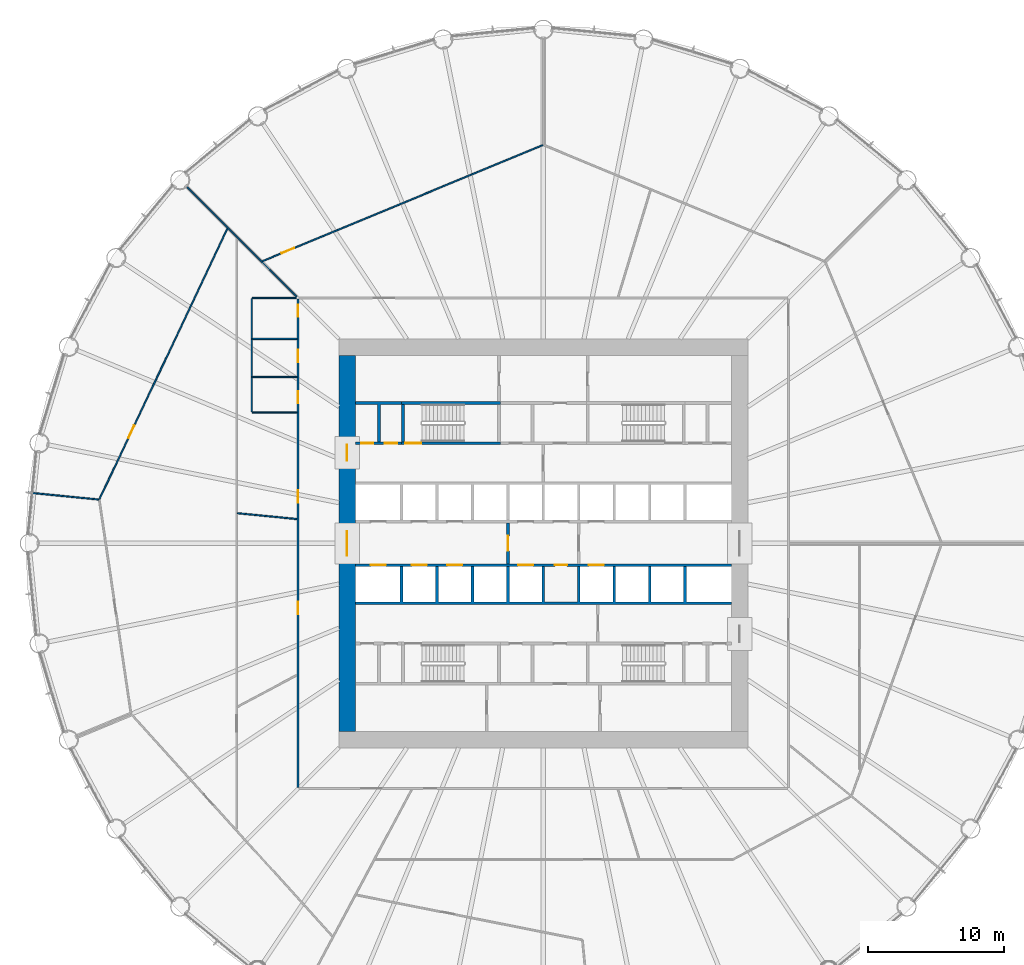
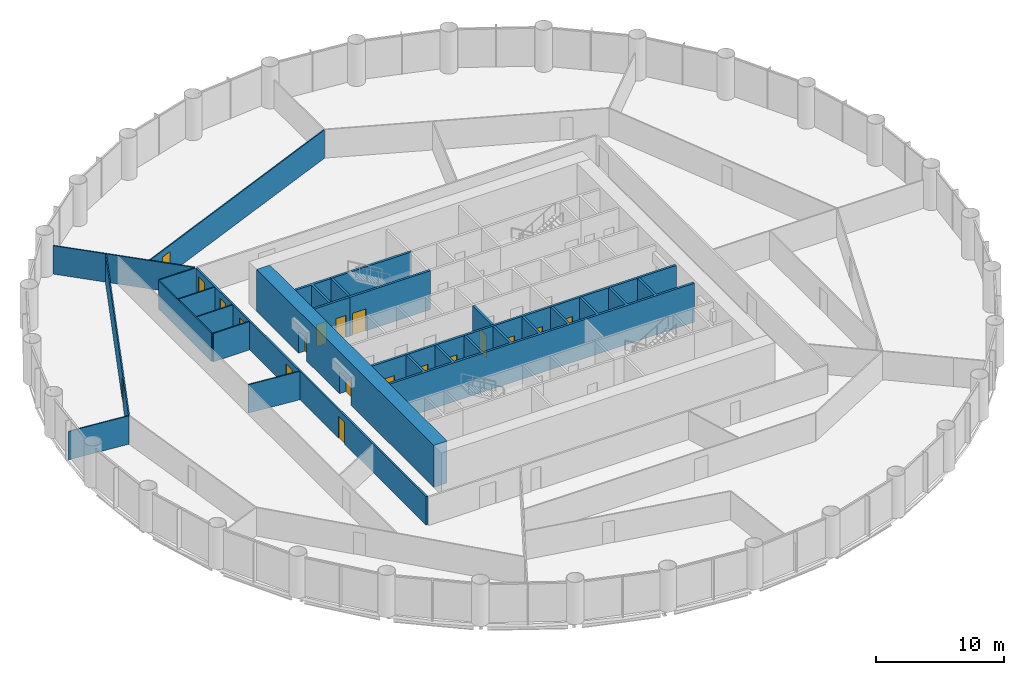
# One storey, part 12 of 15: 20 walls, 19 doors, 19 openings.
"""IFC4 building model written with IfcOpenShell, lengths in metres."""

import ifcopenshell
import ifcopenshell.guid

model = None  # the IFC model being written
_history = None  # IfcOwnerHistory: only IFC2X3 demands one
_inside = {}  # id of a spatial element -> (the spatial element, [elements in it])
_under = {}  # id of a project, library or spatial element -> (it, [spatial elements below it])
_declared = {}  # id of a project -> (the project, [libraries it declares])
_typed = {}  # id of a type object -> (the type object, [elements of that type])
_made_of = {}  # id of a material, layer set ... -> (it, [elements and type objects made of it])


def new_model(schema):
    """Start an empty IFC model of exactly this schema.

    Asked for "IFC4X3", IfcOpenShell would pick the latest addendum, in which some entities
    have other attributes; the version numbers below select the first issue.
    IFC2X3 requires an IfcOwnerHistory on every rooted entity: one is made here for all.
    """
    global model, _history
    if schema == "IFC4X3":
        model = ifcopenshell.file(schema_version=(4, 3, 0, 0))
    else:
        model = ifcopenshell.file(schema=schema)
    _inside.clear()
    _under.clear()
    _declared.clear()
    _typed.clear()
    _made_of.clear()
    _history = None
    if model.schema == "IFC2X3":
        org = make("IfcOrganization", Name="unknown")
        user = make(
            "IfcPersonAndOrganization",
            ThePerson=make("IfcPerson", FamilyName="unknown"),
            TheOrganization=org,
        )
        app = make(
            "IfcApplication",
            ApplicationDeveloper=org,
            Version="unknown",
            ApplicationFullName="unknown",
            ApplicationIdentifier="unknown",
        )
        _history = make(
            "IfcOwnerHistory",
            OwningUser=user,
            OwningApplication=app,
            ChangeAction="ADDED",
            CreationDate=0,
        )
    return model


def make(cls, **values):
    """One entity of the class cls with the attributes given. An attribute that is None is left unset."""
    return model.create_entity(
        cls, **{name: value for name, value in values.items() if value is not None}
    )


def rooted(cls, **values):
    """An entity with a GlobalId (a new one), such as an element, a storey or a relation."""
    return make(cls, GlobalId=ifcopenshell.guid.new(), OwnerHistory=_history, **values)


def si_unit(unit_type, name, prefix=None):
    """IfcSIUnit, for example si_unit("LENGTHUNIT", "METRE", prefix="MILLI")."""
    return make("IfcSIUnit", UnitType=unit_type, Prefix=prefix, Name=name)


def assignment(units):
    """IfcUnitAssignment: the units of a project."""
    return None if units is None else make("IfcUnitAssignment", Units=units)


def point(xyz):
    """IfcCartesianPoint."""
    return None if xyz is None else make("IfcCartesianPoint", Coordinates=xyz)


def direction(xyz):
    """IfcDirection."""
    return None if xyz is None else make("IfcDirection", DirectionRatios=xyz)


def frame(location, z_axis=None, x_axis=None):
    """IfcAxis2Placement3D, a coordinate frame: its origin and axes. An axis left out is left unset."""
    return make(
        "IfcAxis2Placement3D",
        Location=point(location),
        Axis=direction(z_axis),
        RefDirection=direction(x_axis),
    )


def frame_2d(location, x_axis=None):
    """IfcAxis2Placement2D, a coordinate frame in the plane: its origin and x axis."""
    return make(
        "IfcAxis2Placement2D", Location=point(location), RefDirection=direction(x_axis)
    )


def origin():
    """The frame at (0, 0, 0) with its axes left unset."""
    return frame((0.0, 0.0, 0.0))


def place(relative_to, where):
    """IfcLocalPlacement: puts the frame where relative to a parent placement (None: the world)."""
    return make(
        "IfcLocalPlacement", PlacementRelTo=relative_to, RelativePlacement=where
    )


def context(
    kind, dimensions, precision=None, world=None, true_north=None, identifier=None
):
    """IfcGeometricRepresentationContext, for example the 3D "Model" context."""
    return make(
        "IfcGeometricRepresentationContext",
        ContextIdentifier=identifier,
        ContextType=kind,
        CoordinateSpaceDimension=dimensions,
        Precision=precision,
        WorldCoordinateSystem=world,
        TrueNorth=true_north,
    )


def subcontext(parent, identifier, kind, view, scale=None):
    """IfcGeometricRepresentationSubContext, for example "Body" below "Model"."""
    return make(
        "IfcGeometricRepresentationSubContext",
        ContextIdentifier=identifier,
        ContextType=kind,
        ParentContext=parent,
        TargetScale=scale,
        TargetView=view,
    )


def project(units=None, contexts=None):
    """IfcProject with its units and contexts."""
    return rooted(
        "IfcProject",
        Name="project",
        RepresentationContexts=contexts,
        UnitsInContext=assignment(units),
    )


def spatial(cls, under=None, at=None, **own):
    """A site, building, storey or space (cls), placed at a placement, below another one or the project."""
    s = rooted(cls, ObjectPlacement=at, **own)
    if under is not None:
        _under.setdefault(under.id(), (under, []))[1].append(s)
    return s


def polyline(points):
    """IfcPolyline through the points."""
    return make("IfcPolyline", Points=[point(p) for p in points])


def profile(cls, at=None, kind="AREA", **sizes):
    """A parametric profile (cls). Its sizes go by their IFC names, for example OverallWidth=200.0."""
    return make(cls, ProfileType=kind, Position=at, **sizes)


def rectangle(**sizes):
    """IfcRectangleProfileDef."""
    return profile("IfcRectangleProfileDef", **sizes)


def outline(outer, holes=None, kind="AREA"):
    """IfcArbitraryClosedProfileDef: a profile drawn as a closed curve; with holes, ...WithVoids."""
    if holes is None:
        return make("IfcArbitraryClosedProfileDef", ProfileType=kind, OuterCurve=outer)
    return make(
        "IfcArbitraryProfileDefWithVoids",
        ProfileType=kind,
        OuterCurve=outer,
        InnerCurves=holes,
    )


def extrude(swept, where, along, depth):
    """IfcExtrudedAreaSolid: the profile swept, set in the frame where, extruded along a direction by depth."""
    return make(
        "IfcExtrudedAreaSolid",
        SweptArea=swept,
        Position=where,
        ExtrudedDirection=direction(along),
        Depth=depth,
    )


def shape(context_of_items, identifier, shape_type, items):
    """IfcShapeRepresentation: the items that make up one representation, for example the "Body"."""
    return make(
        "IfcShapeRepresentation",
        ContextOfItems=context_of_items,
        RepresentationIdentifier=identifier,
        RepresentationType=shape_type,
        Items=items,
    )


def material(Name=None, Category=None):
    """IfcMaterial."""
    return make("IfcMaterial", Name=Name, Category=Category)


def layer(
    of_material, thickness, ventilated=None, Name=None, Category=None, Priority=None
):
    """IfcMaterialLayer: one layer of a wall or slab, of a material (None: an air gap)."""
    return make(
        "IfcMaterialLayer",
        Material=of_material,
        LayerThickness=thickness,
        IsVentilated=ventilated,
        Name=Name,
        Category=Category,
        Priority=Priority,
    )


def layer_set(layers, Name=None):
    """IfcMaterialLayerSet."""
    return make("IfcMaterialLayerSet", MaterialLayers=layers, LayerSetName=Name)


def made_of(thing, what):
    """Note that an element or type object is made of a material, layer set ...; save() writes the relation."""
    if what is not None:
        _made_of.setdefault(what.id(), (what, []))[1].append(thing)
    return thing


def type_object(cls, material=None, **own):
    """A type object (cls), such as IfcWallType, which elements share."""
    return made_of(rooted(cls, **own), material)


def element(
    cls,
    number,
    at=None,
    inside=None,
    cuts=None,
    type_object=None,
    material=None,
    context=None,
    identifier="Body",
    shape_type=None,
    held_by="IfcProductDefinitionShape",
    body=None,
    shapes=None,
    **own,
):
    """One element of the class cls, such as IfcWall. Its Tag is "e" and its number.

    at: its placement. inside: the storey or other place that contains it. cuts: it is an
    opening in that element (IfcRelVoidsElement). A single representation is given by context,
    identifier, shape_type and body (its items); several are given by shapes. held_by: the class
    of the entity that holds the representations. save() writes the other relations.
    """
    e = rooted(cls, Tag="e%d" % number, ObjectPlacement=at, **own)
    if body is not None:
        shapes = [shape(context, identifier, shape_type, body)]
    if shapes is not None:
        e.Representation = make(held_by, Representations=shapes)
    if inside is not None:
        _inside.setdefault(inside.id(), (inside, []))[1].append(e)
    if cuts is not None:
        rooted(
            "IfcRelVoidsElement", RelatingBuildingElement=cuts, RelatedOpeningElement=e
        )
    if type_object is not None:
        _typed.setdefault(type_object.id(), (type_object, []))[1].append(e)
    return made_of(e, material)


def fill(opening, filler):
    """IfcRelFillsElement: the door or window that sits in an opening."""
    return rooted(
        "IfcRelFillsElement",
        RelatingOpeningElement=opening,
        RelatedBuildingElement=filler,
    )


def aggregate(whole, parts):
    """IfcRelAggregates: a whole, such as a stair, and the parts it consists of."""
    return rooted("IfcRelAggregates", RelatingObject=whole, RelatedObjects=parts)


def save(model, path):
    """Write the relations noted so far, then the file.

    IfcRelAggregates (storeys below a building ...), IfcRelContainedInSpatialStructure (elements
    in a storey), IfcRelDefinesByType, IfcRelAssociatesMaterial and IfcRelDeclares: one each for
    every whole, place, type object, material and project.
    """
    for whole, parts in _under.values():
        aggregate(whole, parts)
    for where, things in _inside.values():
        rooted(
            "IfcRelContainedInSpatialStructure",
            RelatedElements=things,
            RelatingStructure=where,
        )
    for kind, things in _typed.values():
        rooted("IfcRelDefinesByType", RelatedObjects=things, RelatingType=kind)
    for what, things in _made_of.values():
        rooted("IfcRelAssociatesMaterial", RelatedObjects=things, RelatingMaterial=what)
    for by, libraries in _declared.values():
        rooted("IfcRelDeclares", RelatingContext=by, RelatedDefinitions=libraries)
    model.write(path)


model = new_model("IFC4")

# Units and contexts
model_context = context("Model", 3, precision=1e-05, world=origin(), true_north=direction((0.0, 1.0)))
body_context = subcontext(model_context, "Body", "Model", "MODEL_VIEW")
ifc_project = project(units=[si_unit("LENGTHUNIT", "METRE"), si_unit("AREAUNIT", "SQUARE_METRE"), si_unit("VOLUMEUNIT", "CUBIC_METRE"), si_unit("PLANEANGLEUNIT", "RADIAN"), si_unit("MASSUNIT", "GRAM", prefix="KILO")], contexts=[model_context])

# Site, building, storey
site_placement = place(None, origin())
site = spatial("IfcSite", under=ifc_project, at=site_placement, CompositionType="ELEMENT")
building_placement = place(site_placement, origin())
building = spatial("IfcBuilding", under=site, at=building_placement, Name="Corvane Civic Tower", CompositionType="ELEMENT")
storey_placement = place(building_placement, frame((0.0, 0.0, 57.0)))
storey = spatial("IfcBuildingStorey", under=building, at=storey_placement, Name="L12", CompositionType="ELEMENT", Elevation=57.0)

# Wall, openings, doors
ifc_material_1 = material(Name="Concrete C80/95", Category="concrete")
ifc_layer_1 = layer(ifc_material_1, 1.199951171875)
ifc_layer_set_1 = layer_set([ifc_layer_1], Name="Concrete C80/95")
wall_type_1 = type_object("IfcWallType", Name="CORE WALL 1200 C80/95", PredefinedType="SHEAR", material=ifc_layer_set_1)
wall_1_placement = place(storey_placement, frame((-14.39990234375, -13.800048828125, 0.0), z_axis=(0.0, 0.0, 1.0), x_axis=(0.0, 1.0, 0.0)))
wall_1 = element("IfcWall", 1, at=wall_1_placement, inside=storey, type_object=wall_type_1, Name="W-L12-core-W", PredefinedType="SHEAR", context=body_context, shape_type="SweptSolid", body=[
    extrude(rectangle(XDim=27.60009765625, YDim=1.199951171875, at=frame_2d((13.800048828125, 0.0))), origin(), (0.0, 0.0, 1.0), 4.0),
])
opening_1_placement = place(wall_1_placement, frame((12.89990234375, 0.0, 0.0)))
opening_1 = element("IfcOpeningElement", 2, at=opening_1_placement, cuts=wall_1, Name="Opening L12.C28", PredefinedType="OPENING", context=body_context, shape_type="SweptSolid", body=[
    extrude(rectangle(XDim=1.800048828125, YDim=2.10009765625, at=frame_2d((0.89990234375, 1.050048828125))), frame((0.0, 0.60986328125, 0.0), z_axis=(0.0, -1.0, 0.0), x_axis=(1.0, 0.0, 0.0)), (0.0, 0.0, 1.0), 1.219970703125),
])
opening_2_placement = place(wall_1_placement, frame((19.85009765625, 0.0, 0.0)))
opening_2 = element("IfcOpeningElement", 3, at=opening_2_placement, cuts=wall_1, Name="Opening L12.C30", PredefinedType="OPENING", context=body_context, shape_type="SweptSolid", body=[
    extrude(rectangle(XDim=1.199951171875, YDim=2.10009765625, at=frame_2d((0.60009765625, 1.050048828125))), frame((0.0, 0.60986328125, 0.0), z_axis=(0.0, -1.0, 0.0), x_axis=(1.0, 0.0, 0.0)), (0.0, 0.0, 1.0), 1.219970703125),
])
ifc_material_2 = material(Name="Steel fire door leaf", Category="steel")
door_type_1 = type_object("IfcDoorType", Name="CR-DOOR-CORE-1800", OperationType="DOUBLE_DOOR_SINGLE_SWING", PredefinedType="DOOR", material=ifc_material_2)
door_1_placement = place(opening_1_placement, origin())
door_1 = element("IfcDoor", 4, at=door_1_placement, inside=storey, type_object=door_type_1, Name="L12 door", OperationType="DOUBLE_DOOR_SINGLE_SWING", OverallHeight=2.10009765625, OverallWidth=1.800048828125, PredefinedType="DOOR", context=body_context, shape_type="SweptSolid", body=[
    extrude(rectangle(XDim=1.800048828125, YDim=2.10009765625, at=frame_2d((0.89990234375, 1.050048828125))), frame((0.0, 0.02490234375, 0.0), z_axis=(0.0, -1.0, 0.0), x_axis=(1.0, 0.0, 0.0)), (0.0, 0.0, 1.0), 0.050048828125),
])
fill(opening_1, door_1)
door_2_placement = place(opening_2_placement, origin())
door_2 = element("IfcDoor", 5, at=door_2_placement, inside=storey, type_object=door_type_1, Name="L12 door", OperationType="DOUBLE_DOOR_SINGLE_SWING", OverallHeight=2.10009765625, OverallWidth=1.199951171875, PredefinedType="DOOR", context=body_context, shape_type="SweptSolid", body=[
    extrude(rectangle(XDim=1.199951171875, YDim=2.10009765625, at=frame_2d((0.60009765625, 1.050048828125))), frame((0.0, 0.02490234375, 0.0), z_axis=(0.0, -1.0, 0.0), x_axis=(1.0, 0.0, 0.0)), (0.0, 0.0, 1.0), 0.050048828125),
])
fill(opening_2, door_2)

ifc_material_3 = material(Name="Concrete C30/37", Category="concrete")
ifc_layer_2 = layer(ifc_material_3, 0.199951171875)
ifc_layer_set_2 = layer_set([ifc_layer_2], Name="Concrete C30/37")
wall_type_2 = type_object("IfcWallType", Name="CR-WALL-200", PredefinedType="PARTITIONING", material=ifc_layer_set_2)
wall_2_placement = place(storey_placement, frame((-13.800048828125, -1.60009765625, 0.0), z_axis=(0.0, 0.0, 1.0), x_axis=(1.0, 0.0, 0.0)))
wall_2 = element("IfcWall", 6, at=wall_2_placement, inside=storey, type_object=wall_type_2, Name="L12 lift shaft wall", PredefinedType="PARTITIONING", context=body_context, shape_type="SweptSolid", body=[
    extrude(rectangle(XDim=27.60009765625, YDim=0.199951171875, at=frame_2d((13.800048828125, 0.0))), origin(), (0.0, 0.0, 1.0), 3.699951171875),
])
opening_3_placement = place(wall_2_placement, frame((1.14990234375, 0.0, 0.0)))
opening_3 = element("IfcOpeningElement", 7, at=opening_3_placement, cuts=wall_2, Name="Opening LD", PredefinedType="OPENING", context=body_context, shape_type="SweptSolid", body=[
    extrude(rectangle(XDim=1.10009765625, YDim=2.10009765625, at=frame_2d((0.550048828125, 1.050048828125))), frame((0.0, 0.10986328125, 0.0), z_axis=(0.0, -1.0, 0.0), x_axis=(1.0, 0.0, 0.0)), (0.0, 0.0, 1.0), 0.219970703125),
])
opening_4_placement = place(wall_2_placement, frame((4.14990234375, 0.0, 0.0)))
opening_4 = element("IfcOpeningElement", 8, at=opening_4_placement, cuts=wall_2, Name="Opening LD", PredefinedType="OPENING", context=body_context, shape_type="SweptSolid", body=[
    extrude(rectangle(XDim=1.10009765625, YDim=2.10009765625, at=frame_2d((0.550048828125, 1.050048828125))), frame((0.0, 0.10986328125, 0.0), z_axis=(0.0, -1.0, 0.0), x_axis=(1.0, 0.0, 0.0)), (0.0, 0.0, 1.0), 0.219970703125),
])
opening_5_placement = place(wall_2_placement, frame((6.75, 0.0, 0.0)))
opening_5 = element("IfcOpeningElement", 9, at=opening_5_placement, cuts=wall_2, Name="Opening LD", PredefinedType="OPENING", context=body_context, shape_type="SweptSolid", body=[
    extrude(rectangle(XDim=1.10009765625, YDim=2.10009765625, at=frame_2d((0.550048828125, 1.050048828125))), frame((0.0, 0.10986328125, 0.0), z_axis=(0.0, -1.0, 0.0), x_axis=(1.0, 0.0, 0.0)), (0.0, 0.0, 1.0), 0.219970703125),
])
opening_6_placement = place(wall_2_placement, frame((11.949951171875, 0.0, 0.0)))
opening_6 = element("IfcOpeningElement", 10, at=opening_6_placement, cuts=wall_2, Name="Opening LD", PredefinedType="OPENING", context=body_context, shape_type="SweptSolid", body=[
    extrude(rectangle(XDim=1.10009765625, YDim=2.10009765625, at=frame_2d((0.550048828125, 1.050048828125))), frame((0.0, 0.10986328125, 0.0), z_axis=(0.0, -1.0, 0.0), x_axis=(1.0, 0.0, 0.0)), (0.0, 0.0, 1.0), 0.219970703125),
])
opening_7_placement = place(wall_2_placement, frame((14.64990234375, 0.0, 0.0)))
opening_7 = element("IfcOpeningElement", 11, at=opening_7_placement, cuts=wall_2, Name="Opening L12.C01", PredefinedType="OPENING", context=body_context, shape_type="SweptSolid", body=[
    extrude(rectangle(XDim=0.89990234375, YDim=2.10009765625, at=frame_2d((0.449951171875, 1.050048828125))), frame((0.0, 0.10986328125, 0.0), z_axis=(0.0, -1.0, 0.0), x_axis=(1.0, 0.0, 0.0)), (0.0, 0.0, 1.0), 0.219970703125),
])
opening_8_placement = place(wall_2_placement, frame((17.14990234375, 0.0, 0.0)))
opening_8 = element("IfcOpeningElement", 12, at=opening_8_placement, cuts=wall_2, Name="Opening LD", PredefinedType="OPENING", context=body_context, shape_type="SweptSolid", body=[
    extrude(rectangle(XDim=1.10009765625, YDim=2.10009765625, at=frame_2d((0.550048828125, 1.050048828125))), frame((0.0, 0.10986328125, 0.0), z_axis=(0.0, -1.0, 0.0), x_axis=(1.0, 0.0, 0.0)), (0.0, 0.0, 1.0), 0.219970703125),
])
ifc_material_4 = material(Name="Steel fire door leaf", Category="steel")
door_type_2 = type_object("IfcDoorType", Name="CR-DOOR-900", OperationType="SINGLE_SWING_LEFT", PredefinedType="DOOR", material=ifc_material_4)
door_3_placement = place(opening_7_placement, origin())
door_3 = element("IfcDoor", 13, at=door_3_placement, inside=storey, type_object=door_type_2, Name="L12 door", OperationType="SINGLE_SWING_LEFT", OverallHeight=2.10009765625, OverallWidth=0.89990234375, PredefinedType="DOOR", context=body_context, shape_type="SweptSolid", body=[
    extrude(rectangle(XDim=0.89990234375, YDim=2.10009765625, at=frame_2d((0.449951171875, 1.050048828125))), frame((0.0, 0.02490234375, 0.0), z_axis=(0.0, -1.0, 0.0), x_axis=(1.0, 0.0, 0.0)), (0.0, 0.0, 1.0), 0.050048828125),
])
fill(opening_7, door_3)
ifc_material_5 = material(Name="Stainless steel 316 door leaves", Category="steel")
door_type_3 = type_object("IfcDoorType", Name="LD", OperationType="DOUBLE_DOOR_SLIDING", PredefinedType="DOOR", material=ifc_material_5)
door_4_placement = place(opening_3_placement, origin())
door_4 = element("IfcDoor", 14, at=door_4_placement, inside=storey, type_object=door_type_3, Name="L12 landing door", OperationType="DOUBLE_DOOR_SLIDING", OverallHeight=2.10009765625, OverallWidth=1.10009765625, PredefinedType="DOOR", context=body_context, shape_type="SweptSolid", body=[
    extrude(rectangle(XDim=1.10009765625, YDim=2.10009765625, at=frame_2d((0.550048828125, 1.050048828125))), frame((0.0, 0.02490234375, 0.0), z_axis=(0.0, -1.0, 0.0), x_axis=(1.0, 0.0, 0.0)), (0.0, 0.0, 1.0), 0.050048828125),
])
fill(opening_3, door_4)
door_5_placement = place(opening_4_placement, origin())
door_5 = element("IfcDoor", 15, at=door_5_placement, inside=storey, type_object=door_type_3, Name="L12 landing door", OperationType="DOUBLE_DOOR_SLIDING", OverallHeight=2.10009765625, OverallWidth=1.10009765625, PredefinedType="DOOR", context=body_context, shape_type="SweptSolid", body=[
    extrude(rectangle(XDim=1.10009765625, YDim=2.10009765625, at=frame_2d((0.550048828125, 1.050048828125))), frame((0.0, 0.02490234375, 0.0), z_axis=(0.0, -1.0, 0.0), x_axis=(1.0, 0.0, 0.0)), (0.0, 0.0, 1.0), 0.050048828125),
])
fill(opening_4, door_5)
door_6_placement = place(opening_5_placement, origin())
door_6 = element("IfcDoor", 16, at=door_6_placement, inside=storey, type_object=door_type_3, Name="L12 landing door", OperationType="DOUBLE_DOOR_SLIDING", OverallHeight=2.10009765625, OverallWidth=1.10009765625, PredefinedType="DOOR", context=body_context, shape_type="SweptSolid", body=[
    extrude(rectangle(XDim=1.10009765625, YDim=2.10009765625, at=frame_2d((0.550048828125, 1.050048828125))), frame((0.0, 0.02490234375, 0.0), z_axis=(0.0, -1.0, 0.0), x_axis=(1.0, 0.0, 0.0)), (0.0, 0.0, 1.0), 0.050048828125),
])
fill(opening_5, door_6)
door_7_placement = place(opening_6_placement, origin())
door_7 = element("IfcDoor", 17, at=door_7_placement, inside=storey, type_object=door_type_3, Name="L12 landing door", OperationType="DOUBLE_DOOR_SLIDING", OverallHeight=2.10009765625, OverallWidth=1.10009765625, PredefinedType="DOOR", context=body_context, shape_type="SweptSolid", body=[
    extrude(rectangle(XDim=1.10009765625, YDim=2.10009765625, at=frame_2d((0.550048828125, 1.050048828125))), frame((0.0, 0.02490234375, 0.0), z_axis=(0.0, -1.0, 0.0), x_axis=(1.0, 0.0, 0.0)), (0.0, 0.0, 1.0), 0.050048828125),
])
fill(opening_6, door_7)
door_8_placement = place(opening_8_placement, origin())
door_8 = element("IfcDoor", 18, at=door_8_placement, inside=storey, type_object=door_type_3, Name="L12 landing door", OperationType="DOUBLE_DOOR_SLIDING", OverallHeight=2.10009765625, OverallWidth=1.10009765625, PredefinedType="DOOR", context=body_context, shape_type="SweptSolid", body=[
    extrude(rectangle(XDim=1.10009765625, YDim=2.10009765625, at=frame_2d((0.550048828125, 1.050048828125))), frame((0.0, 0.02490234375, 0.0), z_axis=(0.0, -1.0, 0.0), x_axis=(1.0, 0.0, 0.0)), (0.0, 0.0, 1.0), 0.050048828125),
])
fill(opening_8, door_8)

wall_3_placement = place(storey_placement, frame((-13.800048828125, 7.35009765625, 0.0), z_axis=(0.0, 0.0, 1.0), x_axis=(1.0, 0.0, 0.0)))
wall_3 = element("IfcWall", 19, at=wall_3_placement, inside=storey, type_object=wall_type_2, Name="L12 core partition wall", PredefinedType="PARTITIONING", context=body_context, shape_type="SweptSolid", body=[
    extrude(rectangle(XDim=3.400146484375, YDim=0.199951171875, at=frame_2d((1.7001953125, 0.0))), origin(), (0.0, 0.0, 1.0), 3.699951171875),
])
opening_9_placement = place(wall_3_placement, frame((0.425048828125, 0.0, 0.0)))
opening_9 = element("IfcOpeningElement", 20, at=opening_9_placement, cuts=wall_3, Name="Opening L12.C12", PredefinedType="OPENING", context=body_context, shape_type="SweptSolid", body=[
    extrude(rectangle(XDim=0.89990234375, YDim=2.10009765625, at=frame_2d((0.449951171875, 1.050048828125))), frame((0.0, 0.10986328125, 0.0), z_axis=(0.0, -1.0, 0.0), x_axis=(1.0, 0.0, 0.0)), (0.0, 0.0, 1.0), 0.219970703125),
])
opening_10_placement = place(wall_3_placement, frame((2.175048828125, 0.0, 0.0)))
opening_10 = element("IfcOpeningElement", 21, at=opening_10_placement, cuts=wall_3, Name="Opening L12.C13", PredefinedType="OPENING", context=body_context, shape_type="SweptSolid", body=[
    extrude(rectangle(XDim=0.89990234375, YDim=2.10009765625, at=frame_2d((0.449951171875, 1.050048828125))), frame((0.0, 0.10986328125, 0.0), z_axis=(0.0, -1.0, 0.0), x_axis=(1.0, 0.0, 0.0)), (0.0, 0.0, 1.0), 0.219970703125),
])
door_9_placement = place(opening_9_placement, origin())
door_9 = element("IfcDoor", 22, at=door_9_placement, inside=storey, type_object=door_type_2, Name="L12 door", OperationType="SINGLE_SWING_LEFT", OverallHeight=2.10009765625, OverallWidth=0.89990234375, PredefinedType="DOOR", context=body_context, shape_type="SweptSolid", body=[
    extrude(rectangle(XDim=0.89990234375, YDim=2.10009765625, at=frame_2d((0.449951171875, 1.050048828125))), frame((0.0, 0.02490234375, 0.0), z_axis=(0.0, -1.0, 0.0), x_axis=(1.0, 0.0, 0.0)), (0.0, 0.0, 1.0), 0.050048828125),
])
fill(opening_9, door_9)
door_10_placement = place(opening_10_placement, origin())
door_10 = element("IfcDoor", 23, at=door_10_placement, inside=storey, type_object=door_type_2, Name="L12 door", OperationType="SINGLE_SWING_LEFT", OverallHeight=2.10009765625, OverallWidth=0.89990234375, PredefinedType="DOOR", context=body_context, shape_type="SweptSolid", body=[
    extrude(rectangle(XDim=0.89990234375, YDim=2.10009765625, at=frame_2d((0.449951171875, 1.050048828125))), frame((0.0, 0.02490234375, 0.0), z_axis=(0.0, -1.0, 0.0), x_axis=(1.0, 0.0, 0.0)), (0.0, 0.0, 1.0), 0.050048828125),
])
fill(opening_10, door_10)

# Wall, opening, door
wall_4_placement = place(storey_placement, frame((-2.60009765625, -1.5, 0.0), z_axis=(0.0, 0.0, 1.0), x_axis=(0.0, 1.0, 0.0)))
wall_4 = element("IfcWall", 24, at=wall_4_placement, inside=storey, type_object=wall_type_2, Name="L12 firefighting lobby wall", PredefinedType="PARTITIONING", context=body_context, shape_type="SweptSolid", body=[
    extrude(rectangle(XDim=3.0, YDim=0.199951171875, at=frame_2d((1.5, 0.0))), origin(), (0.0, 0.0, 1.0), 3.699951171875),
])
opening_11_placement = place(wall_4_placement, frame((0.949951171875, 0.0, 0.0)))
opening_11 = element("IfcOpeningElement", 25, at=opening_11_placement, cuts=wall_4, Name="Opening L12.C24", PredefinedType="OPENING", context=body_context, shape_type="SweptSolid", body=[
    extrude(rectangle(XDim=1.10009765625, YDim=2.10009765625, at=frame_2d((0.550048828125, 1.050048828125))), frame((0.0, 0.10986328125, 0.0), z_axis=(0.0, -1.0, 0.0), x_axis=(1.0, 0.0, 0.0)), (0.0, 0.0, 1.0), 0.219970703125),
])
ifc_material_6 = material(Name="Steel fire door leaf", Category="steel")
door_type_4 = type_object("IfcDoorType", Name="CR-DOOR-FFL-1100", OperationType="SINGLE_SWING_LEFT", PredefinedType="DOOR", material=ifc_material_6)
door_11_placement = place(opening_11_placement, origin())
door_11 = element("IfcDoor", 26, at=door_11_placement, inside=storey, type_object=door_type_4, Name="L12 lobby door", OperationType="SINGLE_SWING_LEFT", OverallHeight=2.10009765625, OverallWidth=1.10009765625, PredefinedType="DOOR", context=body_context, shape_type="SweptSolid", body=[
    extrude(rectangle(XDim=1.10009765625, YDim=2.10009765625, at=frame_2d((0.550048828125, 1.050048828125))), frame((0.0, 0.02490234375, 0.0), z_axis=(0.0, -1.0, 0.0), x_axis=(1.0, 0.0, 0.0)), (0.0, 0.0, 1.0), 0.050048828125),
])
fill(opening_11, door_11)

# Walls
wall_5_placement = place(storey_placement, origin())
element("IfcWall", 27, at=wall_5_placement, inside=storey, type_object=wall_type_2, Name="L12 core partition wall", PredefinedType="PARTITIONING", context=body_context, shape_type="SweptSolid", body=[
    extrude(outline(polyline([(-13.800048828125, 10.39990234375), (-10.39990234375, 10.39990234375), (-10.39990234375, 10.199951171875), (-11.949951171875, 10.199951171875), (-11.949951171875, 7.449951171875), (-12.14990234375, 7.449951171875), (-12.14990234375, 10.199951171875), (-13.800048828125, 10.199951171875), (-13.800048828125, 10.39990234375)])), origin(), (0.0, 0.0, 1.0), 3.699951171875),
])
wall_6_placement = place(storey_placement, origin())
element("IfcWall", 28, at=wall_6_placement, inside=storey, type_object=wall_type_2, Name="L12 core partition wall", PredefinedType="PARTITIONING", context=body_context, shape_type="SweptSolid", body=[
    extrude(outline(polyline([(-10.300048828125, -1.699951171875), (-10.300048828125, -4.300048828125), (-7.89990234375, -4.300048828125), (-7.89990234375, -1.699951171875), (-7.699951171875, -1.699951171875), (-7.699951171875, -4.300048828125), (-5.300048828125, -4.300048828125), (-5.300048828125, -1.699951171875), (-5.10009765625, -1.699951171875), (-5.10009765625, -4.300048828125), (-2.699951171875, -4.300048828125), (-2.699951171875, -1.699951171875), (-2.5, -1.699951171875), (-2.5, -4.300048828125), (-0.10009765625, -4.300048828125), (-0.10009765625, -1.699951171875), (0.10009765625, -1.699951171875), (0.10009765625, -4.300048828125), (2.5, -4.300048828125), (2.5, -1.699951171875), (2.699951171875, -1.699951171875), (2.699951171875, -4.300048828125), (5.10009765625, -4.300048828125), (5.10009765625, -1.699951171875), (5.300048828125, -1.699951171875), (5.300048828125, -4.300048828125), (7.699951171875, -4.300048828125), (7.699951171875, -1.699951171875), (7.89990234375, -1.699951171875), (7.89990234375, -4.300048828125), (10.300048828125, -4.300048828125), (10.300048828125, -1.699951171875), (10.5, -1.699951171875), (10.5, -4.300048828125), (13.800048828125, -4.300048828125), (13.800048828125, -4.5), (-13.800048828125, -4.5), (-13.800048828125, -4.300048828125), (-10.5, -4.300048828125), (-10.5, -1.699951171875), (-10.300048828125, -1.699951171875)])), origin(), (0.0, 0.0, 1.0), 3.699951171875),
])
ifc_material_7 = material(Name="Plasterboard")
ifc_layer_3 = layer(ifc_material_7, 0.10009765625)
ifc_layer_set_3 = layer_set([ifc_layer_3], Name="Plasterboard")
wall_type_3 = type_object("IfcWallType", Name="Partition 100 plasterboard on studs", PredefinedType="PARTITIONING", material=ifc_layer_set_3)
wall_7_placement = place(storey_placement, frame((-22.445068359375, 2.210693359375, 0.0), z_axis=(0.0, 0.0, 1.0), x_axis=(0.995184869418, -0.098015690998, 0.0)))
element("IfcWall", 29, at=wall_7_placement, inside=storey, type_object=wall_type_3, Name="Partition L12.021", PredefinedType="PARTITIONING", context=body_context, shape_type="SweptSolid", body=[
    extrude(rectangle(XDim=4.386474609375, YDim=0.10009765625, at=frame_2d((2.193359375, 0.0))), origin(), (0.0, 0.0, 1.0), 2.699951171875),
])
wall_8_placement = place(storey_placement, frame((-37.767333984375, 3.7197265625, 0.0), z_axis=(0.0, 0.0, 1.0), x_axis=(0.995187143371, -0.097992600074, 0.0)))
element("IfcWall", 30, at=wall_8_placement, inside=storey, type_object=wall_type_3, Name="Partition L12.022", PredefinedType="PARTITIONING", context=body_context, shape_type="SweptSolid", body=[
    extrude(rectangle(XDim=5.167236328125, YDim=0.10009765625, at=frame_2d((2.58349609375, 0.0))), origin(), (0.0, 0.0, 1.0), 2.699951171875),
])

# Wall, opening, door
wall_9_placement = place(storey_placement, frame((-32.571044921875, 3.2412109375, 0.0), z_axis=(0.0, 0.0, 1.0), x_axis=(0.427545185579, 0.903993979122, 0.0)))
wall_9 = element("IfcWall", 31, at=wall_9_placement, inside=storey, type_object=wall_type_3, Name="Partition L12.023", PredefinedType="PARTITIONING", context=body_context, shape_type="SweptSolid", body=[
    extrude(rectangle(XDim=21.9560546875, YDim=0.10009765625, at=frame_2d((10.97802734375, 0.0))), origin(), (0.0, 0.0, 1.0), 2.699951171875),
])
opening_12_placement = place(wall_9_placement, frame((4.97119140625, 0.0, 0.0)))
opening_12 = element("IfcOpeningElement", 32, at=opening_12_placement, cuts=wall_9, Name="Opening L12.010", PredefinedType="OPENING", context=body_context, shape_type="SweptSolid", body=[
    extrude(rectangle(XDim=1.0, YDim=2.10009765625, at=frame_2d((0.5, 1.050048828125))), frame((0.0, 0.06005859375, 0.0), z_axis=(0.0, -1.0, 0.0), x_axis=(1.0, 0.0, 0.0)), (0.0, 0.0, 1.0), 0.1201171875),
])
ifc_material_8 = material(Name="Timber", Category="wood")
door_type_5 = type_object("IfcDoorType", Name="Single door 1000", OperationType="NOTDEFINED", PredefinedType="DOOR", material=ifc_material_8)
door_12_placement = place(opening_12_placement, origin())
door_12 = element("IfcDoor", 33, at=door_12_placement, inside=storey, type_object=door_type_5, Name="Door L12.010", OperationType="SINGLE_SWING_LEFT", OverallHeight=2.10009765625, OverallWidth=1.0, PredefinedType="DOOR", context=body_context, shape_type="SweptSolid", body=[
    extrude(rectangle(XDim=1.0, YDim=2.10009765625, at=frame_2d((0.5, 1.050048828125))), frame((0.0, 0.02490234375, 0.0), z_axis=(0.0, -1.0, 0.0), x_axis=(1.0, 0.0, 0.0)), (0.0, 0.0, 1.0), 0.050048828125),
])
fill(opening_12, door_12)

# Walls
wall_10_placement = place(storey_placement, frame((-21.35009765625, 9.60009765625, 0.0), z_axis=(0.0, 0.0, 1.0), x_axis=(1.0, 0.0, 0.0)))
element("IfcWall", 34, at=wall_10_placement, inside=storey, type_object=wall_type_3, Name="Partition L12.024", PredefinedType="PARTITIONING", context=body_context, shape_type="SweptSolid", body=[
    extrude(rectangle(XDim=3.275146484375, YDim=0.10009765625, at=frame_2d((1.6376953125, 0.0))), origin(), (0.0, 0.0, 1.0), 2.699951171875),
])
wall_11_placement = place(storey_placement, frame((-21.39990234375, 9.64990234375, 0.0), z_axis=(0.0, 0.0, 1.0), x_axis=(0.0, 1.0, 0.0)))
element("IfcWall", 35, at=wall_11_placement, inside=storey, type_object=wall_type_3, Name="Partition L12.025", PredefinedType="PARTITIONING", context=body_context, shape_type="SweptSolid", body=[
    extrude(rectangle(XDim=8.300048828125, YDim=0.10009765625, at=frame_2d((4.14990234375, 0.0))), origin(), (0.0, 0.0, 1.0), 2.699951171875),
])
for number, where, z_axis, x_axis, name in (
    (36, (-21.35009765625, 12.199951171875, 0.0), (0.0, 0.0, 1.0), (1.0, 0.0, 0.0), "Partition L12.026"),
    (37, (-21.35009765625, 15.0, 0.0), (0.0, 0.0, 1.0), (1.0, 0.0, 0.0), "Partition L12.027"),
):
    element("IfcWall", number, at=place(storey_placement, frame(where, z_axis=z_axis, x_axis=x_axis)), inside=storey, type_object=wall_type_3, Name=name, PredefinedType="PARTITIONING", context=body_context, shape_type="SweptSolid", body=[
        extrude(rectangle(XDim=3.275146484375, YDim=0.10009765625, at=frame_2d((1.6376953125, 0.0))), origin(), (0.0, 0.0, 1.0), 2.699951171875),
    ])
wall_12_placement = place(storey_placement, frame((-21.35009765625, 18.0, 0.0), z_axis=(0.0, 0.0, 1.0), x_axis=(1.0, 0.0, 0.0)))
element("IfcWall", 38, at=wall_12_placement, inside=storey, type_object=wall_type_3, Name="Partition L12.028", PredefinedType="PARTITIONING", context=body_context, shape_type="SweptSolid", body=[
    extrude(rectangle(XDim=3.2294921875, YDim=0.10009765625, at=frame_2d((1.61474609375, 0.0))), origin(), (0.0, 0.0, 1.0), 2.699951171875),
])
wall_13_placement = place(storey_placement, frame((-26.156005859375, 26.156005859375, 0.0), z_axis=(0.0, 0.0, 1.0), x_axis=(0.707106781187, -0.707106781187, 0.0)))
element("IfcWall", 39, at=wall_13_placement, inside=storey, type_object=wall_type_3, Name="Partition L12.030", PredefinedType="PARTITIONING", context=body_context, shape_type="SweptSolid", body=[
    extrude(rectangle(XDim=11.41357421875, YDim=0.10009765625, at=frame_2d((5.706787109375, 0.0))), origin(), (0.0, 0.0, 1.0), 2.699951171875),
])

# Wall, opening, door
wall_14_placement = place(storey_placement, frame((-20.606689453125, 20.704345703125, 0.0), z_axis=(0.0, 0.0, 1.0), x_axis=(0.923879883692, 0.382682584539, 0.0)))
wall_14 = element("IfcWall", 40, at=wall_14_placement, inside=storey, type_object=wall_type_3, Name="Partition L12.033", PredefinedType="PARTITIONING", context=body_context, shape_type="SweptSolid", body=[
    extrude(rectangle(XDim=22.27099609375, YDim=0.10009765625, at=frame_2d((11.135498046875, 0.0))), origin(), (0.0, 0.0, 1.0), 2.699951171875),
])
opening_13_placement = place(wall_14_placement, frame((1.513427734375, 0.0, 0.0)))
opening_13 = element("IfcOpeningElement", 41, at=opening_13_placement, cuts=wall_14, Name="Opening L12.018", PredefinedType="OPENING", context=body_context, shape_type="SweptSolid", body=[
    extrude(rectangle(XDim=1.0, YDim=2.10009765625, at=frame_2d((0.5, 1.050048828125))), frame((0.0, 0.06005859375, 0.0), z_axis=(0.0, -1.0, 0.0), x_axis=(1.0, 0.0, 0.0)), (0.0, 0.0, 1.0), 0.1201171875),
])
door_13_placement = place(opening_13_placement, origin())
door_13 = element("IfcDoor", 42, at=door_13_placement, inside=storey, type_object=door_type_5, Name="Door L12.018", OperationType="SINGLE_SWING_LEFT", OverallHeight=2.10009765625, OverallWidth=1.0, PredefinedType="DOOR", context=body_context, shape_type="SweptSolid", body=[
    extrude(rectangle(XDim=1.0, YDim=2.10009765625, at=frame_2d((0.5, 1.050048828125))), frame((0.0, 0.02490234375, 0.0), z_axis=(0.0, -1.0, 0.0), x_axis=(1.0, 0.0, 0.0)), (0.0, 0.0, 1.0), 0.050048828125),
])
fill(opening_13, door_13)

ifc_material_9 = material(Name="Concrete C50/60", Category="concrete")
ifc_layer_4 = layer(ifc_material_9, 0.199951171875)
ifc_layer_set_4 = layer_set([ifc_layer_4], Name="Concrete C50/60")
wall_type_4 = type_object("IfcWallType", Name="ST-WALL-200", PredefinedType="SHEAR", material=ifc_layer_set_4)
wall_15_placement = place(storey_placement, frame((-10.39990234375, 7.35009765625, 0.0), z_axis=(0.0, 0.0, 1.0), x_axis=(1.0, 0.0, 0.0)))
wall_15 = element("IfcWall", 43, at=wall_15_placement, inside=storey, type_object=wall_type_4, Name="L12 stair enclosure wall", PredefinedType="SHEAR", context=body_context, shape_type="SweptSolid", body=[
    extrude(rectangle(XDim=7.25, YDim=0.199951171875, at=frame_2d((3.625, 0.0))), origin(), (0.0, 0.0, 1.0), 3.699951171875),
])
opening_14_placement = place(wall_15_placement, frame((0.25, 0.0, 0.0)))
opening_14 = element("IfcOpeningElement", 44, at=opening_14_placement, cuts=wall_15, Name="Opening L12.C21", PredefinedType="OPENING", context=body_context, shape_type="SweptSolid", body=[
    extrude(rectangle(XDim=1.199951171875, YDim=2.10009765625, at=frame_2d((0.60009765625, 1.050048828125))), frame((0.0, 0.10986328125, 0.0), z_axis=(0.0, -1.0, 0.0), x_axis=(1.0, 0.0, 0.0)), (0.0, 0.0, 1.0), 0.219970703125),
])
ifc_material_10 = material(Name="Steel fire door leaf", Category="steel")
door_type_6 = type_object("IfcDoorType", Name="ST-DOOR-1200", OperationType="SINGLE_SWING_RIGHT", PredefinedType="DOOR", material=ifc_material_10)
door_14_placement = place(opening_14_placement, origin())
door_14 = element("IfcDoor", 45, at=door_14_placement, inside=storey, type_object=door_type_6, Name="L12 stair door", OperationType="SINGLE_SWING_RIGHT", OverallHeight=2.10009765625, OverallWidth=1.199951171875, PredefinedType="DOOR", context=body_context, shape_type="SweptSolid", body=[
    extrude(rectangle(XDim=1.199951171875, YDim=2.10009765625, at=frame_2d((0.60009765625, 1.050048828125))), frame((0.0, 0.02490234375, 0.0), z_axis=(0.0, -1.0, 0.0), x_axis=(1.0, 0.0, 0.0)), (0.0, 0.0, 1.0), 0.050048828125),
])
fill(opening_14, door_14)

# Walls
wall_16_placement = place(storey_placement, origin())
element("IfcWall", 46, at=wall_16_placement, inside=storey, type_object=wall_type_4, Name="L12 stair enclosure wall", PredefinedType="SHEAR", context=body_context, shape_type="SweptSolid", body=[
    extrude(outline(polyline([(-3.14990234375, 10.199951171875), (-10.39990234375, 10.199951171875), (-10.39990234375, 10.39990234375), (-3.14990234375, 10.39990234375), (-3.14990234375, 10.199951171875)])), origin(), (0.0, 0.0, 1.0), 3.699951171875),
])
wall_17_placement = place(storey_placement, origin())
element("IfcWall", 47, at=wall_17_placement, inside=storey, type_object=wall_type_4, Name="L12 stair enclosure wall", PredefinedType="SHEAR", context=body_context, shape_type="SweptSolid", body=[
    extrude(outline(polyline([(-10.199951171875, 7.449951171875), (-10.39990234375, 7.449951171875), (-10.39990234375, 10.199951171875), (-10.199951171875, 10.199951171875), (-10.199951171875, 7.449951171875)])), origin(), (0.0, 0.0, 1.0), 3.699951171875),
])

# Wall, openings, doors
ifc_material_11 = material(Name="Plasterboard")
ifc_layer_5 = layer(ifc_material_11, 0.14990234375)
ifc_layer_set_5 = layer_set([ifc_layer_5], Name="Plasterboard")
wall_type_5 = type_object("IfcWallType", Name="Tenancy wall 150 EI 60", PredefinedType="PARTITIONING", material=ifc_layer_set_5)
wall_18_placement = place(storey_placement, frame((-18.0, -17.925048828125, 0.0), z_axis=(0.0, 0.0, 1.0), x_axis=(0.0, 1.0, 0.0)))
wall_18 = element("IfcWall", 48, at=wall_18_placement, inside=storey, type_object=wall_type_5, Name="Partition L12.013", PredefinedType="PARTITIONING", context=body_context, shape_type="SweptSolid", body=[
    extrude(rectangle(XDim=35.85009765625, YDim=0.14990234375, at=frame_2d((17.925048828125, 0.0))), origin(), (0.0, 0.0, 1.0), 2.699951171875),
])
opening_15_placement = place(wall_18_placement, frame((12.727294921875, 0.0, 0.0)))
opening_15 = element("IfcOpeningElement", 49, at=opening_15_placement, cuts=wall_18, Name="Opening L12.013", PredefinedType="OPENING", context=body_context, shape_type="SweptSolid", body=[
    extrude(rectangle(XDim=0.89990234375, YDim=2.10009765625, at=frame_2d((0.449951171875, 1.050048828125))), frame((0.0, 0.0849609375, 0.0), z_axis=(0.0, -1.0, 0.0), x_axis=(1.0, 0.0, 0.0)), (0.0, 0.0, 1.0), 0.169921875),
])
opening_16_placement = place(wall_18_placement, frame((20.914306640625, 0.0, 0.0)))
opening_16 = element("IfcOpeningElement", 50, at=opening_16_placement, cuts=wall_18, Name="Opening L12.014", PredefinedType="OPENING", context=body_context, shape_type="SweptSolid", body=[
    extrude(rectangle(XDim=0.89990234375, YDim=2.10009765625, at=frame_2d((0.449951171875, 1.050048828125))), frame((0.0, 0.0849609375, 0.0), z_axis=(0.0, -1.0, 0.0), x_axis=(1.0, 0.0, 0.0)), (0.0, 0.0, 1.0), 0.169921875),
])
opening_17_placement = place(wall_18_placement, frame((34.5361328125, 0.0, 0.0)))
opening_17 = element("IfcOpeningElement", 51, at=opening_17_placement, cuts=wall_18, Name="Opening L12.015", PredefinedType="OPENING", context=body_context, shape_type="SweptSolid", body=[
    extrude(rectangle(XDim=0.89990234375, YDim=2.10009765625, at=frame_2d((0.449951171875, 1.050048828125))), frame((0.0, 0.0849609375, 0.0), z_axis=(0.0, -1.0, 0.0), x_axis=(1.0, 0.0, 0.0)), (0.0, 0.0, 1.0), 0.169921875),
])
opening_18_placement = place(wall_18_placement, frame((31.21240234375, 0.0, 0.0)))
opening_18 = element("IfcOpeningElement", 52, at=opening_18_placement, cuts=wall_18, Name="Opening L12.016", PredefinedType="OPENING", context=body_context, shape_type="SweptSolid", body=[
    extrude(rectangle(XDim=0.89990234375, YDim=2.10009765625, at=frame_2d((0.449951171875, 1.050048828125))), frame((0.0, 0.0849609375, 0.0), z_axis=(0.0, -1.0, 0.0), x_axis=(1.0, 0.0, 0.0)), (0.0, 0.0, 1.0), 0.169921875),
])
opening_19_placement = place(wall_18_placement, frame((28.18798828125, 0.0, 0.0)))
opening_19 = element("IfcOpeningElement", 53, at=opening_19_placement, cuts=wall_18, Name="Opening L12.017", PredefinedType="OPENING", context=body_context, shape_type="SweptSolid", body=[
    extrude(rectangle(XDim=0.89990234375, YDim=2.10009765625, at=frame_2d((0.449951171875, 1.050048828125))), frame((0.0, 0.0849609375, 0.0), z_axis=(0.0, -1.0, 0.0), x_axis=(1.0, 0.0, 0.0)), (0.0, 0.0, 1.0), 0.169921875),
])
ifc_material_12 = material(Name="Steel and timber", Category="steel")
door_type_7 = type_object("IfcDoorType", Name="Fire door FD30S 900", OperationType="NOTDEFINED", PredefinedType="DOOR", material=ifc_material_12)
door_15_placement = place(opening_15_placement, origin())
door_15 = element("IfcDoor", 54, at=door_15_placement, inside=storey, type_object=door_type_7, Name="Door L12.013", OperationType="SINGLE_SWING_LEFT", OverallHeight=2.10009765625, OverallWidth=0.89990234375, PredefinedType="DOOR", context=body_context, shape_type="SweptSolid", body=[
    extrude(rectangle(XDim=0.89990234375, YDim=2.10009765625, at=frame_2d((0.449951171875, 1.050048828125))), frame((0.0, 0.02490234375, 0.0), z_axis=(0.0, -1.0, 0.0), x_axis=(1.0, 0.0, 0.0)), (0.0, 0.0, 1.0), 0.050048828125),
])
fill(opening_15, door_15)
door_16_placement = place(opening_16_placement, origin())
door_16 = element("IfcDoor", 55, at=door_16_placement, inside=storey, type_object=door_type_7, Name="Door L12.014", OperationType="SINGLE_SWING_RIGHT", OverallHeight=2.10009765625, OverallWidth=0.89990234375, PredefinedType="DOOR", context=body_context, shape_type="SweptSolid", body=[
    extrude(rectangle(XDim=0.89990234375, YDim=2.10009765625, at=frame_2d((0.449951171875, 1.050048828125))), frame((0.0, 0.02490234375, 0.0), z_axis=(0.0, -1.0, 0.0), x_axis=(1.0, 0.0, 0.0)), (0.0, 0.0, 1.0), 0.050048828125),
])
fill(opening_16, door_16)
door_17_placement = place(opening_17_placement, origin())
door_17 = element("IfcDoor", 56, at=door_17_placement, inside=storey, type_object=door_type_7, Name="Door L12.015", OperationType="SINGLE_SWING_LEFT", OverallHeight=2.10009765625, OverallWidth=0.89990234375, PredefinedType="DOOR", context=body_context, shape_type="SweptSolid", body=[
    extrude(rectangle(XDim=0.89990234375, YDim=2.10009765625, at=frame_2d((0.449951171875, 1.050048828125))), frame((0.0, 0.02490234375, 0.0), z_axis=(0.0, -1.0, 0.0), x_axis=(1.0, 0.0, 0.0)), (0.0, 0.0, 1.0), 0.050048828125),
])
fill(opening_17, door_17)
door_18_placement = place(opening_18_placement, origin())
door_18 = element("IfcDoor", 57, at=door_18_placement, inside=storey, type_object=door_type_7, Name="Door L12.016", OperationType="SINGLE_SWING_LEFT", OverallHeight=2.10009765625, OverallWidth=0.89990234375, PredefinedType="DOOR", context=body_context, shape_type="SweptSolid", body=[
    extrude(rectangle(XDim=0.89990234375, YDim=2.10009765625, at=frame_2d((0.449951171875, 1.050048828125))), frame((0.0, 0.02490234375, 0.0), z_axis=(0.0, -1.0, 0.0), x_axis=(1.0, 0.0, 0.0)), (0.0, 0.0, 1.0), 0.050048828125),
])
fill(opening_18, door_18)
door_19_placement = place(opening_19_placement, origin())
door_19 = element("IfcDoor", 58, at=door_19_placement, inside=storey, type_object=door_type_7, Name="Door L12.017", OperationType="SINGLE_SWING_RIGHT", OverallHeight=2.10009765625, OverallWidth=0.89990234375, PredefinedType="DOOR", context=body_context, shape_type="SweptSolid", body=[
    extrude(rectangle(XDim=0.89990234375, YDim=2.10009765625, at=frame_2d((0.449951171875, 1.050048828125))), frame((0.0, 0.02490234375, 0.0), z_axis=(0.0, -1.0, 0.0), x_axis=(1.0, 0.0, 0.0)), (0.0, 0.0, 1.0), 0.050048828125),
])
fill(opening_19, door_19)

save(model, "model.ifc")
